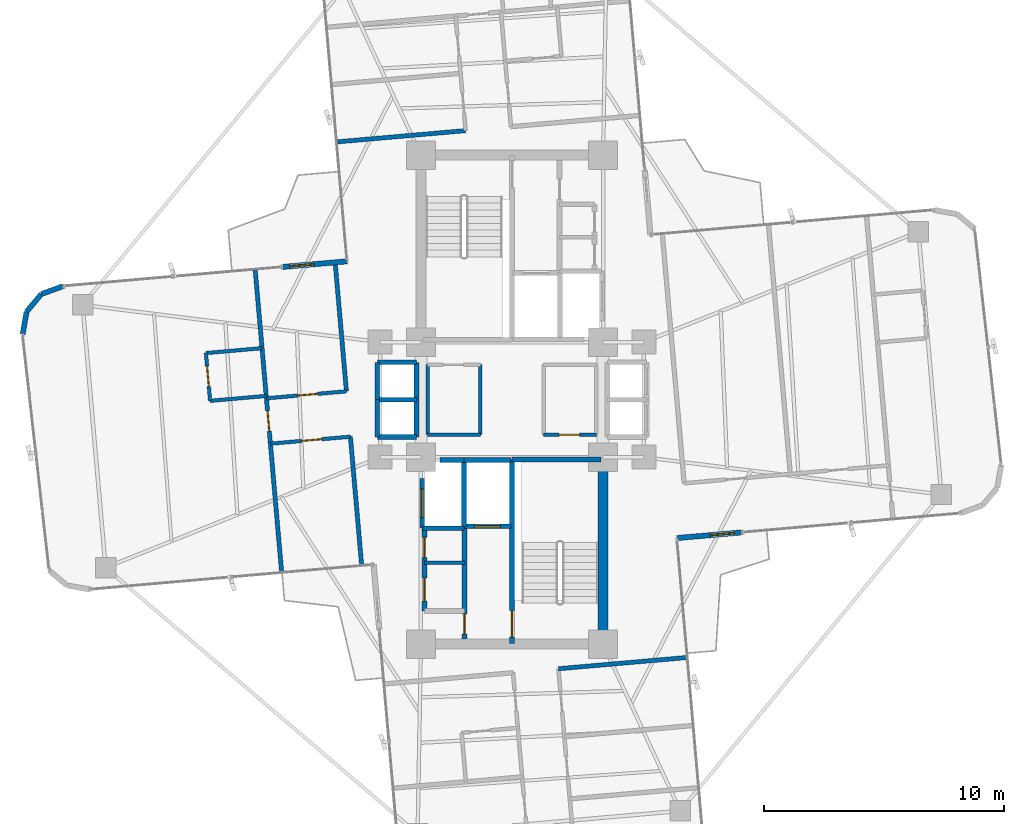
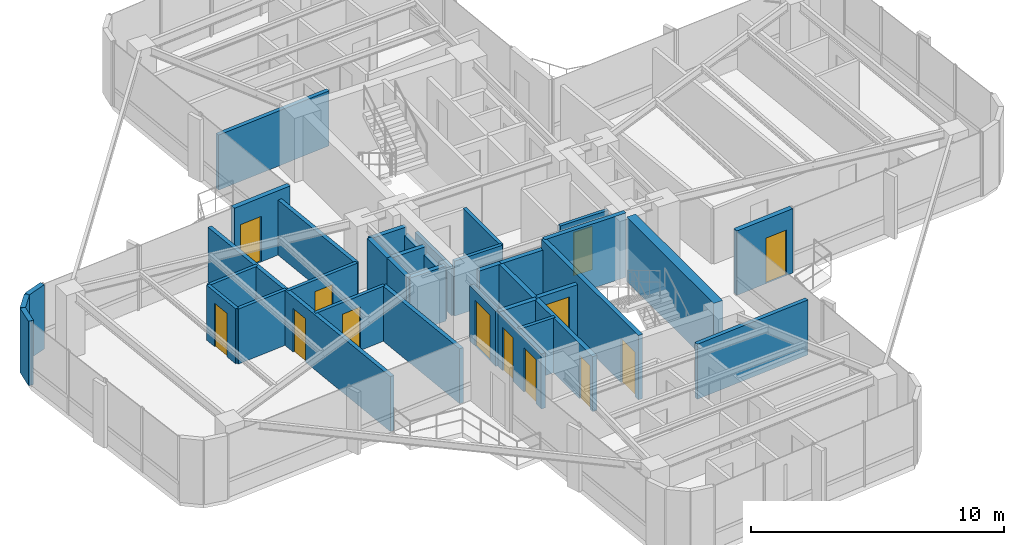
# One storey, part 21 of 24: 37 walls, 13 doors, 13 openings.
"""IFC4 building model written with IfcOpenShell, lengths in metres."""

from ifc_helpers import new_model, si_unit, direction, frame, frame_2d, origin, origin_2d, place, context, subcontext, project, spatial, rectangle, extrude, source, transform, mapped, material, layer, layer_set, type_object, element, fill, save


model = new_model("IFC4")

# Units and contexts
model_context = context("Model", 3, precision=1e-05, world=origin(), true_north=direction((0.0, 1.0)))
body_context = subcontext(model_context, "Body", "Model", "MODEL_VIEW")
ifc_project = project(units=[si_unit("LENGTHUNIT", "METRE"), si_unit("AREAUNIT", "SQUARE_METRE"), si_unit("VOLUMEUNIT", "CUBIC_METRE"), si_unit("PLANEANGLEUNIT", "RADIAN"), si_unit("MASSUNIT", "GRAM", prefix="KILO")], contexts=[model_context])

# Site, building, storey
site_placement = place(None, origin())
site = spatial("IfcSite", under=ifc_project, at=site_placement, CompositionType="ELEMENT")
building_placement = place(site_placement, origin())
building = spatial("IfcBuilding", under=site, at=building_placement, Name="Sahyath Konkavel Grand Hotel", CompositionType="ELEMENT")
storey_placement = place(building_placement, frame((0.0, 0.0, 181.89990234375)))
storey = spatial("IfcBuildingStorey", under=building, at=storey_placement, Name="L50", CompositionType="ELEMENT", Elevation=181.89990234375)

# Wall
ifc_material_1 = material(Name="Concrete C50/60", Category="concrete")
ifc_layer_1 = layer(ifc_material_1, 0.419921875)
ifc_layer_set_1 = layer_set([ifc_layer_1], Name="Concrete C50/60")
wall_type_1 = type_object("IfcWallType", Name="CWALL-420", PredefinedType="SHEAR", material=ifc_layer_set_1)
wall_1_placement = place(storey_placement, frame((3.800048828125, -9.75, 0.0), z_axis=(0.0, 0.0, 1.0), x_axis=(0.0, 1.0, 0.0)))
element("IfcWall", 1, at=wall_1_placement, inside=storey, type_object=wall_type_1, Name="L50 South Core Shear Wall E", PredefinedType="SHEAR", context=body_context, shape_type="SweptSolid", body=[
    extrude(rectangle(XDim=6.89990234375, YDim=0.419921875, at=frame_2d((3.449951171875, 0.0))), origin(), (0.0, 0.0, 1.0), 3.110107421875),
])

# Wall, opening, door
ifc_material_2 = material(Name="Warm Buff Sandstone Insulated Concrete C40/50", Category="masonry")
ifc_layer_2 = layer(ifc_material_2, 0.219970703125)
ifc_layer_set_2 = layer_set([ifc_layer_2], Name="Warm Buff Sandstone Insulated Concrete C40/50")
wall_type_2 = type_object("IfcWallType", Name="WLL-BALC-THRESH", PredefinedType="STANDARD", material=ifc_layer_set_2)
wall_2_placement = place(storey_placement, frame((6.87939453125, -5.7724609375, 0.0), z_axis=(0.0, 0.0, 1.0), x_axis=(0.996193619346, 0.087168071984, 0.0)))
wall_2 = element("IfcWall", 2, at=wall_2_placement, inside=storey, type_object=wall_type_2, Name="L50 Winter-Garden Threshold Wall 0", PredefinedType="STANDARD", context=body_context, shape_type="SweptSolid", body=[
    extrude(rectangle(XDim=2.699951171875, YDim=0.219970703125, at=frame_2d((1.35009765625, 0.0))), origin(), (0.0, 0.0, 1.0), 3.110107421875),
])
opening_1_placement = place(wall_2_placement, frame((1.39990234375, 0.0, 0.0)))
opening_1 = element("IfcOpeningElement", 3, at=opening_1_placement, cuts=wall_2, Name="Opening D-TR1", PredefinedType="OPENING", context=body_context, shape_type="SweptSolid", body=[
    extrude(rectangle(XDim=1.0, YDim=2.199951171875, at=frame_2d((0.5, 1.10009765625))), frame((0.0, 0.1201171875, 0.0), z_axis=(0.0, -1.0, 0.0), x_axis=(1.0, 0.0, 0.0)), (0.0, 0.0, 1.0), 0.239990234375),
])
ifc_material_3 = material(Name="Anodised Bronze Aluminium & Low-E Glazing", Category="aluminium")
door_type_1 = type_object("IfcDoorType", Name="DR-TERRACE-1000", OperationType="NOTDEFINED", PredefinedType="DOOR", material=ifc_material_3)
shared_shape_1 = source(origin(), body_context, "Body", "SweptSolid", [
    extrude(rectangle(XDim=1.0, YDim=0.050048828125, at=origin_2d()), origin(), (0.0, 0.0, 1.0), 2.199951171875),
])
door_1_placement = place(opening_1_placement, frame((0.5, 0.0, 0.0)))
door_1 = element("IfcDoor", 4, at=door_1_placement, inside=storey, type_object=door_type_1, Name="L50 Winter-Garden Terrace Door 0", OperationType="SINGLE_SWING_LEFT", OverallHeight=2.199951171875, OverallWidth=1.0, PredefinedType="DOOR", context=body_context, shape_type="MappedRepresentation", body=[
    mapped(shared_shape_1, transform((0.0, 0.0, 0.0), scale=1.0)),
])
fill(opening_1, door_1)

wall_3_placement = place(storey_placement, frame((-6.87939453125, 5.7724609375, 0.0), z_axis=(0.0, 0.0, 1.0), x_axis=(-0.996193619346, -0.087168071984, 0.0)))
wall_3 = element("IfcWall", 5, at=wall_3_placement, inside=storey, type_object=wall_type_2, Name="L50 Winter-Garden Threshold Wall 16", PredefinedType="STANDARD", context=body_context, shape_type="SweptSolid", body=[
    extrude(rectangle(XDim=2.699951171875, YDim=0.219970703125, at=frame_2d((1.35009765625, 0.0))), origin(), (0.0, 0.0, 1.0), 3.110107421875),
])
opening_2_placement = place(wall_3_placement, frame((1.39990234375, 0.0, 0.0)))
opening_2 = element("IfcOpeningElement", 6, at=opening_2_placement, cuts=wall_3, Name="Opening D-TR1", PredefinedType="OPENING", context=body_context, shape_type="SweptSolid", body=[
    extrude(rectangle(XDim=1.0, YDim=2.199951171875, at=frame_2d((0.5, 1.10009765625))), frame((0.0, 0.1201171875, 0.0), z_axis=(0.0, -1.0, 0.0), x_axis=(1.0, 0.0, 0.0)), (0.0, 0.0, 1.0), 0.239990234375),
])
door_2_placement = place(opening_2_placement, frame((0.5, 0.0, 0.0)))
door_2 = element("IfcDoor", 7, at=door_2_placement, inside=storey, type_object=door_type_1, Name="L50 Winter-Garden Terrace Door 16", OperationType="SINGLE_SWING_LEFT", OverallHeight=2.199951171875, OverallWidth=1.0, PredefinedType="DOOR", context=body_context, shape_type="MappedRepresentation", body=[
    mapped(shared_shape_1, transform((0.0, 0.0, 0.0), scale=1.0)),
])
fill(opening_2, door_2)

# Walls
wall_4_placement = place(storey_placement, frame((-18.73388671875, 4.735107421875, 0.0), z_axis=(0.0, 0.0, 1.0), x_axis=(-0.939741306239, -0.34188635151, 0.0)))
element("IfcWall", 8, at=wall_4_placement, inside=storey, type_object=wall_type_2, Name="L50 Rounded Corner Sandstone Pier 17", PredefinedType="STANDARD", context=body_context, shape_type="SweptSolid", body=[
    extrude(rectangle(XDim=0.95751953125, YDim=0.219970703125, at=frame_2d((0.478759765625, 0.0))), origin(), (0.0, 0.0, 1.0), 3.110107421875),
])
for number, where, z_axis, x_axis, name in (
    (9, (-19.6337890625, 4.40771484375, 0.0), (0.0, 0.0, 1.0), (-0.642863236823, -0.765980978054, 0.0), "L50 Rounded Corner Sandstone Pier 18"),
    (10, (-20.24951171875, 3.674072265625, 0.0), (0.0, 0.0, 1.0), (-0.173610811841, -0.984814340885, 0.0), "L50 Rounded Corner Sandstone Pier 19"),
):
    element("IfcWall", number, at=place(storey_placement, frame(where, z_axis=z_axis, x_axis=x_axis)), inside=storey, type_object=wall_type_2, Name=name, PredefinedType="STANDARD", context=body_context, shape_type="SweptSolid", body=[
        extrude(rectangle(XDim=0.957763671875, YDim=0.219970703125, at=frame_2d((0.47900390625, 0.0))), origin(), (0.0, 0.0, 1.0), 3.110107421875),
    ])

# Wall, opening, door
ifc_material_4 = material(Name="Concrete C40/50", Category="concrete")
ifc_layer_3 = layer(ifc_material_4, 0.199951171875)
ifc_layer_set_3 = layer_set([ifc_layer_3], Name="Concrete C40/50")
wall_type_3 = type_object("IfcWallType", Name="WLL-CORE-200", PredefinedType="SOLIDWALL", material=ifc_layer_set_3)
wall_5_placement = place(storey_placement, frame((0.0, -10.179931640625, 0.0), z_axis=(0.0, 0.0, 1.0), x_axis=(0.0, 1.0, 0.0)))
wall_5 = element("IfcWall", 11, at=wall_5_placement, inside=storey, type_object=wall_type_3, Name="L50 Stair ST-2 Shaft Wall W", PredefinedType="SOLIDWALL", context=body_context, shape_type="SweptSolid", body=[
    extrude(rectangle(XDim=7.679931640625, YDim=0.199951171875, at=frame_2d((3.83984375, 0.0))), origin(), (0.0, 0.0, 1.0), 3.110107421875),
])
opening_3_placement = place(wall_5_placement, frame((0.280029296875, 0.0, 0.0)))
opening_3 = element("IfcOpeningElement", 12, at=opening_3_placement, cuts=wall_5, Name="Opening D-F12B", PredefinedType="OPENING", context=body_context, shape_type="SweptSolid", body=[
    extrude(rectangle(XDim=1.10009765625, YDim=2.14990234375, at=frame_2d((0.550048828125, 1.074951171875))), frame((0.0, 0.10986328125, 0.0), z_axis=(0.0, -1.0, 0.0), x_axis=(1.0, 0.0, 0.0)), (0.0, 0.0, 1.0), 0.219970703125),
])
ifc_material_5 = material(Name="Steel E350 Smokeproof Fire Door", Category="steel")
door_type_2 = type_object("IfcDoorType", Name="DR-FD120-1100", OperationType="NOTDEFINED", PredefinedType="DOOR", material=ifc_material_5)
shared_shape_2 = source(origin(), body_context, "Body", "SweptSolid", [
    extrude(rectangle(XDim=1.10009765625, YDim=0.050048828125, at=origin_2d()), origin(), (0.0, 0.0, 1.0), 2.14990234375),
])
door_3_placement = place(opening_3_placement, frame((0.550048828125, 0.0, 0.0)))
door_3 = element("IfcDoor", 13, at=door_3_placement, inside=storey, type_object=door_type_2, Name="L50 Stair ST-2 Fire Door", OperationType="SINGLE_SWING_LEFT", OverallHeight=2.14990234375, OverallWidth=1.10009765625, PredefinedType="DOOR", context=body_context, shape_type="MappedRepresentation", body=[
    mapped(shared_shape_2, transform((0.0, 0.0, 0.0), scale=1.0)),
])
fill(opening_3, door_3)

# Wall
wall_6_placement = place(storey_placement, frame((0.0, -2.5, 0.0), z_axis=(0.0, 0.0, 1.0), x_axis=(1.0, 0.0, 0.0)))
element("IfcWall", 14, at=wall_6_placement, inside=storey, type_object=wall_type_3, Name="L50 Stair ST-2 Shaft Wall N", PredefinedType="SOLIDWALL", context=body_context, shape_type="SweptSolid", body=[
    extrude(rectangle(XDim=3.719970703125, YDim=0.199951171875, at=frame_2d((1.85986328125, 0.0))), origin(), (0.0, 0.0, 1.0), 3.110107421875),
])

# Wall, opening, door
wall_7_placement = place(storey_placement, frame((-1.97998046875, -9.97998046875, 0.0), z_axis=(0.0, 0.0, 1.0), x_axis=(0.0, 1.0, 0.0)))
wall_7 = element("IfcWall", 15, at=wall_7_placement, inside=storey, type_object=wall_type_3, Name="L50 South Firefighting Lobby Wall W", PredefinedType="SOLIDWALL", context=body_context, shape_type="SweptSolid", body=[
    extrude(rectangle(XDim=4.659912109375, YDim=0.199951171875, at=frame_2d((2.330078125, 0.0))), origin(), (0.0, 0.0, 1.0), 2.66015625),
])
opening_4_placement = place(wall_7_placement, frame((0.199951171875, 0.0, 0.0)))
opening_4 = element("IfcOpeningElement", 16, at=opening_4_placement, cuts=wall_7, Name="Opening D-F12D", PredefinedType="OPENING", context=body_context, shape_type="SweptSolid", body=[
    extrude(rectangle(XDim=0.85009765625, YDim=2.10009765625, at=frame_2d((0.425048828125, 1.050048828125))), frame((0.0, 0.10986328125, 0.0), z_axis=(0.0, -1.0, 0.0), x_axis=(1.0, 0.0, 0.0)), (0.0, 0.0, 1.0), 0.219970703125),
])
ifc_material_6 = material(Name="Steel E350 Core Fire Door", Category="steel")
door_type_3 = type_object("IfcDoorType", Name="DR-FD120-850", OperationType="NOTDEFINED", PredefinedType="DOOR", material=ifc_material_6)
shared_shape_3 = source(origin(), body_context, "Body", "SweptSolid", [
    extrude(rectangle(XDim=0.85009765625, YDim=0.050048828125, at=origin_2d()), origin(), (0.0, 0.0, 1.0), 2.10009765625),
])
door_4_placement = place(opening_4_placement, frame((0.425048828125, 0.0, 0.0)))
door_4 = element("IfcDoor", 17, at=door_4_placement, inside=storey, type_object=door_type_3, Name="L50 South Firefighting Lobby Door", OperationType="SINGLE_SWING_LEFT", OverallHeight=2.10009765625, OverallWidth=0.85009765625, PredefinedType="DOOR", context=body_context, shape_type="MappedRepresentation", body=[
    mapped(shared_shape_3, transform((0.0, 0.0, 0.0), scale=1.0)),
])
fill(opening_4, door_4)

# Walls
wall_8_placement = place(storey_placement, frame((-2.0, -5.280029296875, 0.0), z_axis=(0.0, 0.0, 1.0), x_axis=(0.0, 1.0, 0.0)))
element("IfcWall", 18, at=wall_8_placement, inside=storey, type_object=wall_type_3, Name="L50 Partition SH-FFL2-W", PredefinedType="SOLIDWALL", context=body_context, shape_type="SweptSolid", body=[
    extrude(rectangle(XDim=2.780029296875, YDim=0.199951171875, at=frame_2d((1.39013671875, 0.0))), origin(), (0.0, 0.0, 1.0), 2.66015625),
])
wall_9_placement = place(storey_placement, frame((-2.0, -2.52001953125, 0.0), z_axis=(0.0, 0.0, 1.0), x_axis=(1.0, 0.0, 0.0)))
element("IfcWall", 19, at=wall_9_placement, inside=storey, type_object=wall_type_3, Name="L50 Partition SH-FFL2-N", PredefinedType="SOLIDWALL", context=body_context, shape_type="SweptSolid", body=[
    extrude(rectangle(XDim=1.949951171875, YDim=0.199951171875, at=frame_2d((0.97509765625, 0.0))), origin(), (0.0, 0.0, 1.0), 2.66015625),
])

# Wall, opening, door
wall_10_placement = place(storey_placement, frame((-1.97998046875, -5.280029296875, 0.0), z_axis=(0.0, 0.0, 1.0), x_axis=(1.0, 0.0, 0.0)))
wall_10 = element("IfcWall", 20, at=wall_10_placement, inside=storey, type_object=wall_type_3, Name="L50 Partition SH-FFL2-S", PredefinedType="SOLIDWALL", context=body_context, shape_type="SweptSolid", body=[
    extrude(rectangle(XDim=1.929931640625, YDim=0.199951171875, at=frame_2d((0.96484375, 0.0))), origin(), (0.0, 0.0, 1.0), 2.66015625),
])
opening_5_placement = place(wall_10_placement, frame((0.39990234375, 0.0, 0.0)))
opening_5 = element("IfcOpeningElement", 21, at=opening_5_placement, cuts=wall_10, Name="Opening LD-11", PredefinedType="OPENING", context=body_context, shape_type="SweptSolid", body=[
    extrude(rectangle(XDim=1.10009765625, YDim=2.199951171875, at=frame_2d((0.550048828125, 1.10009765625))), frame((0.0, 0.10986328125, 0.0), z_axis=(0.0, -1.0, 0.0), x_axis=(1.0, 0.0, 0.0)), (0.0, 0.0, 1.0), 0.219970703125),
])
ifc_material_7 = material(Name="Bronze Lift Landing Door 1100")
door_type_4 = type_object("IfcDoorType", Name="DR-LIFT-1100", OperationType="DOUBLE_DOOR_SLIDING", PredefinedType="DOOR", material=ifc_material_7)
shared_shape_4 = source(origin(), body_context, "Body", "SweptSolid", [
    extrude(rectangle(XDim=1.10009765625, YDim=0.050048828125, at=origin_2d()), origin(), (0.0, 0.0, 1.0), 2.199951171875),
])
door_5_placement = place(opening_5_placement, frame((0.550048828125, 0.0, 0.0)))
door_5 = element("IfcDoor", 22, at=door_5_placement, inside=storey, type_object=door_type_4, Name="L50 Lift FFL-2 Landing Door", OperationType="DOUBLE_DOOR_SLIDING", OverallHeight=2.199951171875, OverallWidth=1.10009765625, PredefinedType="DOOR", context=body_context, shape_type="MappedRepresentation", body=[
    mapped(shared_shape_4, transform((0.0, 0.0, 0.0), scale=1.0)),
])
fill(opening_5, door_5)

# Walls
wall_11_placement = place(storey_placement, frame((-3.0, -2.52001953125, 0.0), z_axis=(0.0, 0.0, 1.0), x_axis=(1.0, 0.0, 0.0)))
element("IfcWall", 23, at=wall_11_placement, inside=storey, type_object=wall_type_3, Name="L50 Partition SH-SVL2-N", PredefinedType="SOLIDWALL", context=body_context, shape_type="SweptSolid", body=[
    extrude(rectangle(XDim=1.0, YDim=0.199951171875, at=frame_2d((0.5, 0.0))), origin(), (0.0, 0.0, 1.0), 2.66015625),
])
wall_12_placement = place(storey_placement, frame((-3.739990234375, -5.360107421875, 0.0), z_axis=(0.0, 0.0, 1.0), x_axis=(1.0, 0.0, 0.0)))
element("IfcWall", 24, at=wall_12_placement, inside=storey, type_object=wall_type_3, Name="L50 Partition SH-SVL2-S", PredefinedType="SOLIDWALL", context=body_context, shape_type="SweptSolid", body=[
    extrude(rectangle(XDim=1.739990234375, YDim=0.199951171875, at=frame_2d((0.8701171875, 0.0))), origin(), (0.0, 0.0, 1.0), 2.66015625),
])

# Wall, opening, door
wall_13_placement = place(storey_placement, frame((-3.739990234375, -5.360107421875, 0.0), z_axis=(0.0, 0.0, 1.0), x_axis=(0.0, 1.0, 0.0)))
wall_13 = element("IfcWall", 25, at=wall_13_placement, inside=storey, type_object=wall_type_3, Name="L50 Partition SH-SVL2-W", PredefinedType="SOLIDWALL", context=body_context, shape_type="SweptSolid", body=[
    extrude(rectangle(XDim=2.080078125, YDim=0.199951171875, at=frame_2d((1.0400390625, 0.0))), origin(), (0.0, 0.0, 1.0), 2.66015625),
])
opening_6_placement = place(wall_13_placement, frame((0.43994140625, 0.0, 0.0)))
opening_6 = element("IfcOpeningElement", 26, at=opening_6_placement, cuts=wall_13, Name="Opening LD-12", PredefinedType="OPENING", context=body_context, shape_type="SweptSolid", body=[
    extrude(rectangle(XDim=1.199951171875, YDim=2.199951171875, at=frame_2d((0.60009765625, 1.10009765625))), frame((0.0, 0.10986328125, 0.0), z_axis=(0.0, -1.0, 0.0), x_axis=(1.0, 0.0, 0.0)), (0.0, 0.0, 1.0), 0.219970703125),
])
ifc_material_8 = material(Name="Stainless Steel Lift Landing Door 1200", Category="steel")
door_type_5 = type_object("IfcDoorType", Name="DR-LIFT-1200", OperationType="DOUBLE_DOOR_SLIDING", PredefinedType="DOOR", material=ifc_material_8)
shared_shape_5 = source(origin(), body_context, "Body", "SweptSolid", [
    extrude(rectangle(XDim=1.199951171875, YDim=0.050048828125, at=origin_2d()), origin(), (0.0, 0.0, 1.0), 2.199951171875),
])
door_6_placement = place(opening_6_placement, frame((0.60009765625, 0.0, 0.0)))
door_6 = element("IfcDoor", 27, at=door_6_placement, inside=storey, type_object=door_type_5, Name="L50 Service Lift SVL-2 Landing Door", OperationType="DOUBLE_DOOR_SLIDING", OverallHeight=2.199951171875, OverallWidth=1.199951171875, PredefinedType="DOOR", context=body_context, shape_type="MappedRepresentation", body=[
    mapped(shared_shape_5, transform((0.0, 0.0, 0.0), scale=1.0)),
])
fill(opening_6, door_6)

# Walls
wall_14_placement = place(storey_placement, frame((-3.97998046875, -1.56005859375, 0.0), z_axis=(0.0, 0.0, 1.0), x_axis=(0.0, 1.0, 0.0)))
element("IfcWall", 28, at=wall_14_placement, inside=storey, type_object=wall_type_3, Name="L50 Partition SH-SL12-E", PredefinedType="SOLIDWALL", context=body_context, shape_type="SweptSolid", body=[
    extrude(rectangle(XDim=3.1201171875, YDim=0.199951171875, at=frame_2d((1.56005859375, 0.0))), origin(), (0.0, 0.0, 1.0), 2.280029296875),
])
for number, where, z_axis, x_axis, name in (
    (29, (-5.6201171875, 1.56005859375, 0.0), (0.0, 0.0, 1.0), (1.0, 0.0, 0.0), "L50 Partition SH-SL12-N"),
    (30, (-5.6201171875, -1.56005859375, 0.0), (0.0, 0.0, 1.0), (1.0, 0.0, 0.0), "L50 Partition SH-SL12-S"),
    (31, (-5.6201171875, 0.0, 0.0), (0.0, 0.0, 1.0), (1.0, 0.0, 0.0), "L50 Partition SH-SL12-M"),
):
    element("IfcWall", number, at=place(storey_placement, frame(where, z_axis=z_axis, x_axis=x_axis)), inside=storey, type_object=wall_type_3, Name=name, PredefinedType="SOLIDWALL", context=body_context, shape_type="SweptSolid", body=[
        extrude(rectangle(XDim=1.64013671875, YDim=0.199951171875, at=frame_2d((0.820068359375, 0.0))), origin(), (0.0, 0.0, 1.0), 2.66015625),
    ])
for number, where, z_axis, x_axis, name in (
    (32, (-5.6201171875, 0.0, 0.0), (0.0, 0.0, 1.0), (0.0, 1.0, 0.0), "L50 Partition SH-SL1-W"),
    (33, (-5.6201171875, -1.56005859375, 0.0), (0.0, 0.0, 1.0), (0.0, 1.0, 0.0), "L50 Partition SH-SL2-W"),
):
    element("IfcWall", number, at=place(storey_placement, frame(where, z_axis=z_axis, x_axis=x_axis)), inside=storey, type_object=wall_type_3, Name=name, PredefinedType="SOLIDWALL", context=body_context, shape_type="SweptSolid", body=[
        extrude(rectangle(XDim=1.56005859375, YDim=0.199951171875, at=frame_2d((0.780029296875, 0.0))), origin(), (0.0, 0.0, 1.0), 2.66015625),
    ])

# Wall, openings, doors
wall_15_placement = place(storey_placement, frame((-3.64990234375, -8.81005859375, 0.0), z_axis=(0.0, 0.0, 1.0), x_axis=(0.0, 1.0, 0.0)))
wall_15 = element("IfcWall", 34, at=wall_15_placement, inside=storey, type_object=wall_type_3, Name="L50 Reclaimed South Core Wall W", PredefinedType="SOLIDWALL", context=body_context, shape_type="SweptSolid", body=[
    extrude(rectangle(XDim=3.43017578125, YDim=0.199951171875, at=frame_2d((1.715087890625, 0.0))), origin(), (0.0, 0.0, 1.0), 2.66015625),
])
opening_7_placement = place(wall_15_placement, frame((0.419921875, 0.0, 0.0)))
opening_7 = element("IfcOpeningElement", 35, at=opening_7_placement, cuts=wall_15, Name="Opening D-AC95", PredefinedType="OPENING", context=body_context, shape_type="SweptSolid", body=[
    extrude(rectangle(XDim=0.949951171875, YDim=2.14990234375, at=frame_2d((0.47509765625, 1.074951171875))), frame((0.0, 0.10986328125, 0.0), z_axis=(0.0, -1.0, 0.0), x_axis=(1.0, 0.0, 0.0)), (0.0, 0.0, 1.0), 0.219970703125),
])
opening_8_placement = place(wall_15_placement, frame((2.219970703125, 0.0, 0.0)))
opening_8 = element("IfcOpeningElement", 36, at=opening_8_placement, cuts=wall_15, Name="Opening D-F06D", PredefinedType="OPENING", context=body_context, shape_type="SweptSolid", body=[
    extrude(rectangle(XDim=0.85009765625, YDim=2.10009765625, at=frame_2d((0.425048828125, 1.050048828125))), frame((0.0, 0.10986328125, 0.0), z_axis=(0.0, -1.0, 0.0), x_axis=(1.0, 0.0, 0.0)), (0.0, 0.0, 1.0), 0.219970703125),
])
ifc_material_9 = material(Name="Accessible Washroom Timber Door", Category="wood")
door_type_6 = type_object("IfcDoorType", Name="DR-ACC-950", OperationType="NOTDEFINED", PredefinedType="DOOR", material=ifc_material_9)
shared_shape_6 = source(origin(), body_context, "Body", "SweptSolid", [
    extrude(rectangle(XDim=0.949951171875, YDim=0.050048828125, at=origin_2d()), origin(), (0.0, 0.0, 1.0), 2.14990234375),
])
door_7_placement = place(opening_7_placement, frame((0.47509765625, 0.0, 0.0)))
door_7 = element("IfcDoor", 37, at=door_7_placement, inside=storey, type_object=door_type_6, Name="L50 Door SC-REC1-D", OperationType="SINGLE_SWING_RIGHT", OverallHeight=2.14990234375, OverallWidth=0.949951171875, PredefinedType="DOOR", context=body_context, shape_type="MappedRepresentation", body=[
    mapped(shared_shape_6, transform((0.0, 0.0, 0.0), scale=1.0)),
])
fill(opening_7, door_7)
ifc_material_10 = material(Name="Fire-Rated Shaft Access Door")
door_type_7 = type_object("IfcDoorType", Name="DR-FD60-850", OperationType="NOTDEFINED", PredefinedType="DOOR", material=ifc_material_10)
door_8_placement = place(opening_8_placement, frame((0.425048828125, 0.0, 0.0)))
door_8 = element("IfcDoor", 38, at=door_8_placement, inside=storey, type_object=door_type_7, Name="L50 Door SC-REC2-D", OperationType="SINGLE_SWING_LEFT", OverallHeight=2.10009765625, OverallWidth=0.85009765625, PredefinedType="DOOR", context=body_context, shape_type="MappedRepresentation", body=[
    mapped(shared_shape_3, transform((0.0, 0.0, 0.0), scale=1.0)),
])
fill(opening_8, door_8)

# Walls
ifc_material_11 = material(Name="Twin-Stud Acoustic Gypsum Plasterboard Partition")
ifc_layer_4 = layer(ifc_material_11, 0.179931640625)
ifc_layer_set_4 = layer_set([ifc_layer_4], Name="Twin-Stud Acoustic Gypsum Plasterboard Partition")
wall_type_4 = type_object("IfcWallType", Name="WLL-DEMISE-180", PredefinedType="PARTITIONING", material=ifc_layer_set_4)
for number, where, z_axis, x_axis, name in (
    (39, (-1.935546875, 11.22412109375, 0.0), (0.0, 0.0, 1.0), (-0.996194212812, -0.087161289348, 0.0), "L50 Partition N-INL"),
    (40, (-6.7412109375, -1.54345703125, 0.0), (0.0, 0.0, 1.0), (0.087161289348, -0.996194212812, 0.0), "L50 Partition W-INL"),
    (41, (-7.373046875, 5.678955078125, 0.0), (0.0, 0.0, 1.0), (0.087161289348, -0.996194212812, 0.0), "L50 Partition W-INR"),
):
    element("IfcWall", number, at=place(storey_placement, frame(where, z_axis=z_axis, x_axis=x_axis)), inside=storey, type_object=wall_type_4, Name=name, PredefinedType="PARTITIONING", context=body_context, shape_type="SweptSolid", body=[
        extrude(rectangle(XDim=5.349853515625, YDim=0.179931640625, at=frame_2d((2.6748046875, 0.0))), origin(), (0.0, 0.0, 1.0), 2.66015625),
    ])

# Wall, opening, door
wall_16_placement = place(storey_placement, frame((-10.710205078125, 5.386962890625, 0.0), z_axis=(0.0, 0.0, 1.0), x_axis=(0.087154691724, -0.996194790044, 0.0)))
wall_16 = element("IfcWall", 42, at=wall_16_placement, inside=storey, type_object=wall_type_4, Name="L50 Partition W-WTIP-END", PredefinedType="PARTITIONING", context=body_context, shape_type="SweptSolid", body=[
    extrude(rectangle(XDim=12.599853515625, YDim=0.179931640625, at=frame_2d((6.2998046875, 0.0))), origin(), (0.0, 0.0, 1.0), 2.66015625),
])
opening_9_placement = place(wall_16_placement, frame((5.875, 0.0, 0.0)))
opening_9 = element("IfcOpeningElement", 43, at=opening_9_placement, cuts=wall_16, Name="Opening D-F06D", PredefinedType="OPENING", context=body_context, shape_type="SweptSolid", body=[
    extrude(rectangle(XDim=0.85009765625, YDim=2.10009765625, at=frame_2d((0.425048828125, 1.050048828125))), frame((0.0, 0.10009765625, 0.0), z_axis=(0.0, -1.0, 0.0), x_axis=(1.0, 0.0, 0.0)), (0.0, 0.0, 1.0), 0.199951171875),
])
door_9_placement = place(opening_9_placement, frame((0.425048828125, 0.0, 0.0)))
door_9 = element("IfcDoor", 44, at=door_9_placement, inside=storey, type_object=door_type_7, Name="L50 Door W-WTIP-ED", OperationType="SINGLE_SWING_LEFT", OverallHeight=2.10009765625, OverallWidth=0.85009765625, PredefinedType="DOOR", context=body_context, shape_type="MappedRepresentation", body=[
    mapped(shared_shape_3, transform((0.0, 0.0, 0.0), scale=1.0)),
])
fill(opening_9, door_9)

# Walls
wall_17_placement = place(storey_placement, frame((1.935546875, -11.22412109375, 0.0), z_axis=(0.0, 0.0, 1.0), x_axis=(0.996194212812, 0.087161289348, 0.0)))
element("IfcWall", 45, at=wall_17_placement, inside=storey, type_object=wall_type_4, Name="L50 Partition S-INL", PredefinedType="PARTITIONING", context=body_context, shape_type="SweptSolid", body=[
    extrude(rectangle(XDim=5.349853515625, YDim=0.179931640625, at=frame_2d((2.6748046875, 0.0))), origin(), (0.0, 0.0, 1.0), 2.66015625),
])
ifc_material_12 = material(Name="Fire-Rated Gypsum Plasterboard Partition")
ifc_layer_5 = layer(ifc_material_12, 0.14990234375)
ifc_layer_set_5 = layer_set([ifc_layer_5], Name="Fire-Rated Gypsum Plasterboard Partition")
wall_type_5 = type_object("IfcWallType", Name="WLL-PART-150", PredefinedType="PARTITIONING", material=ifc_layer_set_5)
wall_18_placement = place(storey_placement, frame((-3.64990234375, -6.81005859375, 0.0), z_axis=(0.0, 0.0, 1.0), x_axis=(1.0, 0.0, 0.0)))
element("IfcWall", 46, at=wall_18_placement, inside=storey, type_object=wall_type_5, Name="L50 Partition SC-REC-M1", PredefinedType="PARTITIONING", context=body_context, shape_type="SweptSolid", body=[
    extrude(rectangle(XDim=1.669921875, YDim=0.14990234375, at=frame_2d((0.8349609375, 0.0))), origin(), (0.0, 0.0, 1.0), 2.66015625),
])
wall_19_placement = place(storey_placement, frame((-1.320068359375, -1.4599609375, 0.0), z_axis=(0.0, 0.0, 1.0), x_axis=(0.0, 1.0, 0.0)))
element("IfcWall", 47, at=wall_19_placement, inside=storey, type_object=wall_type_5, Name="L50 Partition CC-1WI", PredefinedType="PARTITIONING", context=body_context, shape_type="SweptSolid", body=[
    extrude(rectangle(XDim=2.919921875, YDim=0.14990234375, at=frame_2d((1.4599609375, 0.0))), origin(), (0.0, 0.0, 1.0), 2.66015625),
])
wall_20_placement = place(storey_placement, frame((-3.52001953125, -1.4599609375, 0.0), z_axis=(0.0, 0.0, 1.0), x_axis=(0.0, 1.0, 0.0)))
element("IfcWall", 48, at=wall_20_placement, inside=storey, type_object=wall_type_5, Name="L50 Partition CC-1WO", PredefinedType="PARTITIONING", context=body_context, shape_type="SweptSolid", body=[
    extrude(rectangle(XDim=2.919921875, YDim=0.14990234375, at=frame_2d((1.4599609375, 0.0))), origin(), (0.0, 0.0, 1.0), 2.280029296875),
])
wall_21_placement = place(storey_placement, frame((-3.52001953125, -1.4599609375, 0.0), z_axis=(0.0, 0.0, 1.0), x_axis=(1.0, 0.0, 0.0)))
element("IfcWall", 49, at=wall_21_placement, inside=storey, type_object=wall_type_5, Name="L50 Partition CC-1WS", PredefinedType="PARTITIONING", context=body_context, shape_type="SweptSolid", body=[
    extrude(rectangle(XDim=2.199951171875, YDim=0.14990234375, at=frame_2d((1.10009765625, 0.0))), origin(), (0.0, 0.0, 1.0), 2.66015625),
])

# Wall, opening, door
wall_22_placement = place(storey_placement, frame((1.320068359375, -1.4599609375, 0.0), z_axis=(0.0, 0.0, 1.0), x_axis=(1.0, 0.0, 0.0)))
wall_22 = element("IfcWall", 50, at=wall_22_placement, inside=storey, type_object=wall_type_5, Name="L50 Partition CC-1ES", PredefinedType="PARTITIONING", context=body_context, shape_type="SweptSolid", body=[
    extrude(rectangle(XDim=2.199951171875, YDim=0.14990234375, at=frame_2d((1.10009765625, 0.0))), origin(), (0.0, 0.0, 1.0), 2.66015625),
])
opening_10_placement = place(wall_22_placement, frame((0.64990234375, 0.0, 0.0)))
opening_10 = element("IfcOpeningElement", 51, at=opening_10_placement, cuts=wall_22, Name="Opening D-F06D", PredefinedType="OPENING", context=body_context, shape_type="SweptSolid", body=[
    extrude(rectangle(XDim=0.85009765625, YDim=2.10009765625, at=frame_2d((0.425048828125, 1.050048828125))), frame((0.0, 0.0849609375, 0.0), z_axis=(0.0, -1.0, 0.0), x_axis=(1.0, 0.0, 0.0)), (0.0, 0.0, 1.0), 0.169921875),
])
door_10_placement = place(opening_10_placement, frame((0.425048828125, 0.0, 0.0)))
door_10 = element("IfcDoor", 52, at=door_10_placement, inside=storey, type_object=door_type_7, Name="L50 Door CC-D1E", OperationType="SINGLE_SWING_LEFT", OverallHeight=2.10009765625, OverallWidth=0.85009765625, PredefinedType="DOOR", context=body_context, shape_type="MappedRepresentation", body=[
    mapped(shared_shape_3, transform((0.0, 0.0, 0.0), scale=1.0)),
])
fill(opening_10, door_10)

wall_23_placement = place(storey_placement, frame((-6.7412109375, -1.54345703125, 0.0), z_axis=(0.0, 0.0, 1.0), x_axis=(-0.996193954812, -0.087164238054, 0.0)))
wall_23 = element("IfcWall", 53, at=wall_23_placement, inside=storey, type_object=wall_type_5, Name="L50 Partition W-CL", PredefinedType="PARTITIONING", context=body_context, shape_type="SweptSolid", body=[
    extrude(rectangle(XDim=3.349853515625, YDim=0.14990234375, at=frame_2d((1.6748046875, 0.0))), origin(), (0.0, 0.0, 1.0), 2.66015625),
])
opening_11_placement = place(wall_23_placement, frame((1.199951171875, 0.0, 0.0)))
opening_11 = element("IfcOpeningElement", 54, at=opening_11_placement, cuts=wall_23, Name="Opening D-F06D", PredefinedType="OPENING", context=body_context, shape_type="SweptSolid", body=[
    extrude(rectangle(XDim=0.85009765625, YDim=2.10009765625, at=frame_2d((0.425048828125, 1.050048828125))), frame((0.0, 0.0849609375, 0.0), z_axis=(0.0, -1.0, 0.0), x_axis=(1.0, 0.0, 0.0)), (0.0, 0.0, 1.0), 0.169921875),
])
door_11_placement = place(opening_11_placement, frame((0.425048828125, 0.0, 0.0)))
door_11 = element("IfcDoor", 55, at=door_11_placement, inside=storey, type_object=door_type_7, Name="L50 Door W-WS3L-D", OperationType="SINGLE_SWING_RIGHT", OverallHeight=2.10009765625, OverallWidth=0.85009765625, PredefinedType="DOOR", context=body_context, shape_type="MappedRepresentation", body=[
    mapped(shared_shape_3, transform((0.0, 0.0, 0.0), scale=1.0)),
])
fill(opening_11, door_11)

wall_24_placement = place(storey_placement, frame((-6.90673828125, 0.349365234375, 0.0), z_axis=(0.0, 0.0, 1.0), x_axis=(-0.996193954812, -0.087164238054, 0.0)))
wall_24 = element("IfcWall", 56, at=wall_24_placement, inside=storey, type_object=wall_type_5, Name="L50 Partition W-CR", PredefinedType="PARTITIONING", context=body_context, shape_type="SweptSolid", body=[
    extrude(rectangle(XDim=3.349853515625, YDim=0.14990234375, at=frame_2d((1.6748046875, 0.0))), origin(), (0.0, 0.0, 1.0), 2.66015625),
])
opening_12_placement = place(wall_24_placement, frame((1.199951171875, 0.0, 0.0)))
opening_12 = element("IfcOpeningElement", 57, at=opening_12_placement, cuts=wall_24, Name="Opening D-F06D", PredefinedType="OPENING", context=body_context, shape_type="SweptSolid", body=[
    extrude(rectangle(XDim=0.85009765625, YDim=2.10009765625, at=frame_2d((0.425048828125, 1.050048828125))), frame((0.0, 0.0849609375, 0.0), z_axis=(0.0, -1.0, 0.0), x_axis=(1.0, 0.0, 0.0)), (0.0, 0.0, 1.0), 0.169921875),
])
door_12_placement = place(opening_12_placement, frame((0.425048828125, 0.0, 0.0)))
door_12 = element("IfcDoor", 58, at=door_12_placement, inside=storey, type_object=door_type_7, Name="L50 Door W-WS3R-D", OperationType="SINGLE_SWING_LEFT", OverallHeight=2.10009765625, OverallWidth=0.85009765625, PredefinedType="DOOR", context=body_context, shape_type="MappedRepresentation", body=[
    mapped(shared_shape_3, transform((0.0, 0.0, 0.0), scale=1.0)),
])
fill(opening_12, door_12)

# Walls
for number, where, z_axis, x_axis, name in (
    (59, (-10.252685546875, 0.156982421875, 0.0), (0.0, 0.0, 1.0), (-0.996194055785, -0.087163084034, 0.0), "L50 Partition W-WTIP-BN"),
    (60, (-10.427001953125, 2.1494140625, 0.0), (0.0, 0.0, 1.0), (-0.996194055785, -0.087163084034, 0.0), "L50 Partition W-WTIP-BS"),
):
    element("IfcWall", number, at=place(storey_placement, frame(where, z_axis=z_axis, x_axis=x_axis)), inside=storey, type_object=wall_type_5, Name=name, PredefinedType="PARTITIONING", context=body_context, shape_type="SweptSolid", body=[
        extrude(rectangle(XDim=2.35009765625, YDim=0.14990234375, at=frame_2d((1.175048828125, 0.0))), origin(), (0.0, 0.0, 1.0), 2.66015625),
    ])

# Wall, opening, door
wall_25_placement = place(storey_placement, frame((-12.76806640625, 1.944580078125, 0.0), z_axis=(0.0, 0.0, 1.0), x_axis=(0.087156350505, -0.99619464492, 0.0)))
wall_25 = element("IfcWall", 61, at=wall_25_placement, inside=storey, type_object=wall_type_5, Name="L50 Partition W-WTIP-BE", PredefinedType="PARTITIONING", context=body_context, shape_type="SweptSolid", body=[
    extrude(rectangle(XDim=2.0, YDim=0.14990234375, at=frame_2d((1.0, 0.0))), origin(), (0.0, 0.0, 1.0), 2.66015625),
])
opening_13_placement = place(wall_25_placement, frame((0.550048828125, 0.0, 0.0)))
opening_13 = element("IfcOpeningElement", 62, at=opening_13_placement, cuts=wall_25, Name="Opening D-BT85", PredefinedType="OPENING", context=body_context, shape_type="SweptSolid", body=[
    extrude(rectangle(XDim=0.85009765625, YDim=2.10009765625, at=frame_2d((0.425048828125, 1.050048828125))), frame((0.0, 0.0849609375, 0.0), z_axis=(0.0, -1.0, 0.0), x_axis=(1.0, 0.0, 0.0)), (0.0, 0.0, 1.0), 0.169921875),
])
ifc_material_13 = material(Name="Moisture-Resistant Teak Bathroom Door")
door_type_8 = type_object("IfcDoorType", Name="DR-BATH-850", OperationType="NOTDEFINED", PredefinedType="DOOR", material=ifc_material_13)
door_13_placement = place(opening_13_placement, frame((0.425048828125, 0.0, 0.0)))
door_13 = element("IfcDoor", 63, at=door_13_placement, inside=storey, type_object=door_type_8, Name="L50 Door W-WTIP-BD", OperationType="SINGLE_SWING_RIGHT", OverallHeight=2.10009765625, OverallWidth=0.85009765625, PredefinedType="DOOR", context=body_context, shape_type="MappedRepresentation", body=[
    mapped(shared_shape_3, transform((0.0, 0.0, 0.0), scale=1.0)),
])
fill(opening_13, door_13)

save(model, "model.ifc")
